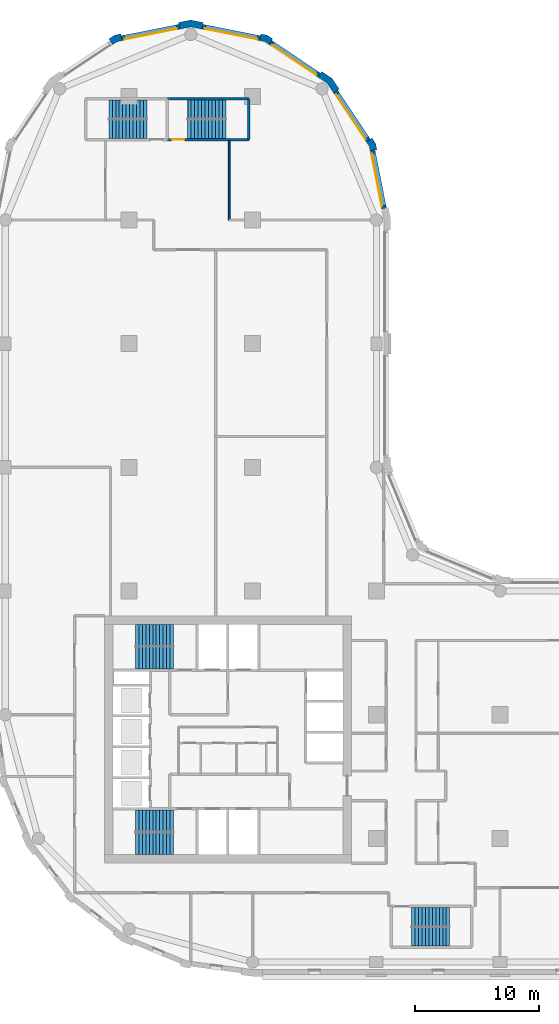
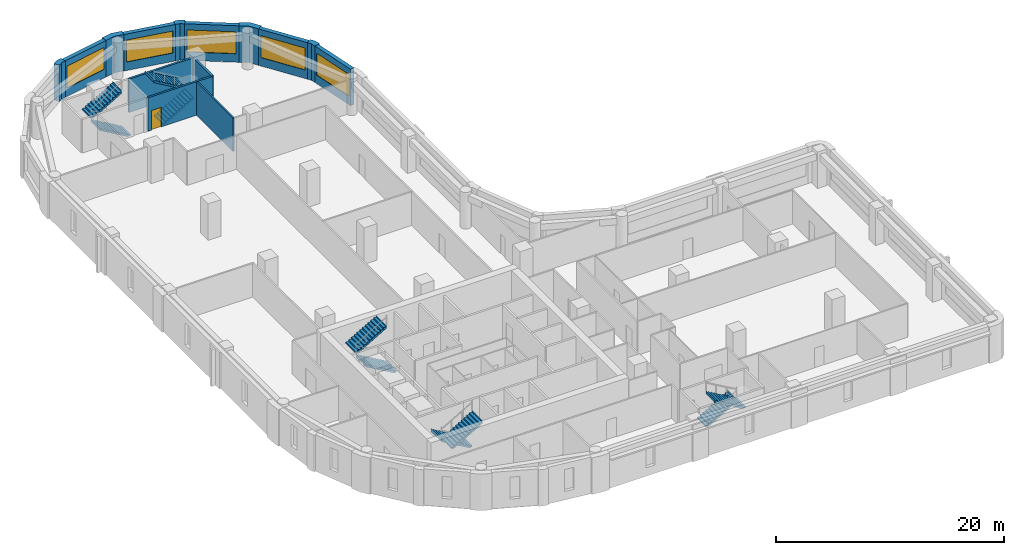
# One storey, part 7 of 9: 14 walls, 10 stair flights, 5 windows, 1 door, 6 openings, 5 elements without a shape of their own.
"""IFC4 building model written with IfcOpenShell, lengths in metres."""

from ifc_helpers import new_model, si_unit, direction, frame, frame_2d, origin, place, context, subcontext, project, spatial, polyline, rectangle, outline, extrude, material, layer, layer_set, type_object, element, fill, aggregate, save


model = new_model("IFC4")

# Units and contexts
model_context = context("Model", 3, precision=1e-05, world=origin(), true_north=direction((0.0, 1.0)))
body_context = subcontext(model_context, "Body", "Model", "MODEL_VIEW")
ifc_project = project(units=[si_unit("LENGTHUNIT", "METRE"), si_unit("AREAUNIT", "SQUARE_METRE"), si_unit("VOLUMEUNIT", "CUBIC_METRE"), si_unit("PLANEANGLEUNIT", "RADIAN"), si_unit("MASSUNIT", "GRAM", prefix="KILO")], contexts=[model_context])

# Site, building, storey
site_placement = place(None, origin())
site = spatial("IfcSite", under=ifc_project, at=site_placement, CompositionType="ELEMENT")
building_placement = place(site_placement, origin())
building = spatial("IfcBuilding", under=site, at=building_placement, Name="Qaws Garden Tower", CompositionType="ELEMENT")
storey_placement = place(building_placement, frame((0.0, 0.0, 174.60009765625)))
storey = spatial("IfcBuildingStorey", under=building, at=storey_placement, Name="L42", CompositionType="ELEMENT", Elevation=174.60009765625)

# Wall, opening, window
ifc_material_1 = material(Name="Clay facing brick masonry", Category="masonry")
ifc_layer_1 = layer(ifc_material_1, 0.39990234375)
ifc_layer_set_1 = layer_set([ifc_layer_1], Name="Clay facing brick masonry")
wall_type_1 = type_object("IfcWallType", Name="Brick infill wall 400", PredefinedType="SOLIDWALL", material=ifc_layer_set_1)
wall_1_placement = place(storey_placement, frame((30.628662109375, 60.940673828125, 0.0), z_axis=(0.0, 0.0, 1.0), x_axis=(-0.195098533057, 0.98078364709, 0.0)))
wall_1 = element("IfcWall", 1, at=wall_1_placement, inside=storey, type_object=wall_type_1, Name="E-L42-infill-13", PredefinedType="SOLIDWALL", context=body_context, shape_type="SweptSolid", body=[
    extrude(rectangle(XDim=4.752685546875, YDim=0.39990234375, at=frame_2d((2.37646484375, 0.0))), origin(), (0.0, 0.0, 1.0), 3.89990234375),
])
opening_1_placement = place(wall_1_placement, frame((0.226318359375, 0.0, 0.89990234375)))
opening_1 = element("IfcOpeningElement", 2, at=opening_1_placement, cuts=wall_1, Name="Opening W06", PredefinedType="OPENING", context=body_context, shape_type="SweptSolid", body=[
    extrude(rectangle(XDim=4.300048828125, YDim=2.35009765625, at=frame_2d((2.14990234375, 1.175048828125))), frame((0.0, 0.2099609375, 0.0), z_axis=(0.0, -1.0, 0.0), x_axis=(1.0, 0.0, 0.0)), (0.0, 0.0, 1.0), 0.419921875),
])
ifc_material_2 = material(Name="Aluminium framed window, clear glazing", Category="aluminium")
window_type = type_object("IfcWindowType", Name="Ribbon window 4300 x 2350", PartitioningType="DOUBLE_PANEL_VERTICAL", PredefinedType="WINDOW", material=ifc_material_2)
window_1_placement = place(opening_1_placement, origin())
window_1 = element("IfcWindow", 3, at=window_1_placement, inside=storey, type_object=window_type, Name="E-L42-window-13-0", OverallHeight=2.35009765625, OverallWidth=4.300048828125, PartitioningType="SINGLE_PANEL", PredefinedType="WINDOW", context=body_context, shape_type="SweptSolid", body=[
    extrude(rectangle(XDim=4.300048828125, YDim=2.35009765625, at=frame_2d((2.14990234375, 1.175048828125))), frame((0.0, 0.159912109375, 0.0), z_axis=(0.0, -1.0, 0.0), x_axis=(1.0, 0.0, 0.0)), (0.0, 0.0, 1.0), 0.06005859375),
])
fill(opening_1, window_1)

wall_2_placement = place(storey_placement, frame((29.356689453125, 66.43408203125, 0.0), z_axis=(0.0, 0.0, 1.0), x_axis=(-0.555541552266, 0.831488775454, 0.0)))
wall_2 = element("IfcWall", 4, at=wall_2_placement, inside=storey, type_object=wall_type_1, Name="E-L42-infill-14", PredefinedType="SOLIDWALL", context=body_context, shape_type="SweptSolid", body=[
    extrude(rectangle(XDim=4.752685546875, YDim=0.39990234375, at=frame_2d((2.37646484375, 0.0))), origin(), (0.0, 0.0, 1.0), 3.89990234375),
])
opening_2_placement = place(wall_2_placement, frame((0.226318359375, 0.0, 0.89990234375)))
opening_2 = element("IfcOpeningElement", 5, at=opening_2_placement, cuts=wall_2, Name="Opening W06", PredefinedType="OPENING", context=body_context, shape_type="SweptSolid", body=[
    extrude(rectangle(XDim=4.300048828125, YDim=2.35009765625, at=frame_2d((2.14990234375, 1.175048828125))), frame((0.0, 0.2099609375, 0.0), z_axis=(0.0, -1.0, 0.0), x_axis=(1.0, 0.0, 0.0)), (0.0, 0.0, 1.0), 0.419921875),
])
window_2_placement = place(opening_2_placement, origin())
window_2 = element("IfcWindow", 6, at=window_2_placement, inside=storey, type_object=window_type, Name="E-L42-window-14-0", OverallHeight=2.35009765625, OverallWidth=4.300048828125, PartitioningType="SINGLE_PANEL", PredefinedType="WINDOW", context=body_context, shape_type="SweptSolid", body=[
    extrude(rectangle(XDim=4.300048828125, YDim=2.35009765625, at=frame_2d((2.14990234375, 1.175048828125))), frame((0.0, 0.159912109375, 0.0), z_axis=(0.0, -1.0, 0.0), x_axis=(1.0, 0.0, 0.0)), (0.0, 0.0, 1.0), 0.06005859375),
])
fill(opening_2, window_2)

wall_3_placement = place(storey_placement, frame((25.385986328125, 71.71630859375, 0.0), z_axis=(0.0, 0.0, 1.0), x_axis=(-0.831488775454, 0.555541552266, 0.0)))
wall_3 = element("IfcWall", 7, at=wall_3_placement, inside=storey, type_object=wall_type_1, Name="E-L42-infill-15", PredefinedType="SOLIDWALL", context=body_context, shape_type="SweptSolid", body=[
    extrude(rectangle(XDim=4.752685546875, YDim=0.39990234375, at=frame_2d((2.37646484375, 0.0))), origin(), (0.0, 0.0, 1.0), 3.89990234375),
])
opening_3_placement = place(wall_3_placement, frame((0.226318359375, 0.0, 0.89990234375)))
opening_3 = element("IfcOpeningElement", 8, at=opening_3_placement, cuts=wall_3, Name="Opening W06", PredefinedType="OPENING", context=body_context, shape_type="SweptSolid", body=[
    extrude(rectangle(XDim=4.300048828125, YDim=2.35009765625, at=frame_2d((2.14990234375, 1.175048828125))), frame((0.0, 0.2099609375, 0.0), z_axis=(0.0, -1.0, 0.0), x_axis=(1.0, 0.0, 0.0)), (0.0, 0.0, 1.0), 0.419921875),
])
window_3_placement = place(opening_3_placement, origin())
window_3 = element("IfcWindow", 9, at=window_3_placement, inside=storey, type_object=window_type, Name="E-L42-window-15-0", OverallHeight=2.35009765625, OverallWidth=4.300048828125, PartitioningType="SINGLE_PANEL", PredefinedType="WINDOW", context=body_context, shape_type="SweptSolid", body=[
    extrude(rectangle(XDim=4.300048828125, YDim=2.35009765625, at=frame_2d((2.14990234375, 1.175048828125))), frame((0.0, 0.159912109375, 0.0), z_axis=(0.0, -1.0, 0.0), x_axis=(1.0, 0.0, 0.0)), (0.0, 0.0, 1.0), 0.06005859375),
])
fill(opening_3, window_3)

wall_4_placement = place(storey_placement, frame((20.60205078125, 74.701416015625, 0.0), z_axis=(0.0, 0.0, 1.0), x_axis=(-0.98078364709, 0.195098533057, 0.0)))
wall_4 = element("IfcWall", 10, at=wall_4_placement, inside=storey, type_object=wall_type_1, Name="E-L42-infill-16", PredefinedType="SOLIDWALL", context=body_context, shape_type="SweptSolid", body=[
    extrude(rectangle(XDim=4.752685546875, YDim=0.39990234375, at=frame_2d((2.37646484375, 0.0))), origin(), (0.0, 0.0, 1.0), 3.89990234375),
])
opening_4_placement = place(wall_4_placement, frame((0.226318359375, 0.0, 0.89990234375)))
opening_4 = element("IfcOpeningElement", 11, at=opening_4_placement, cuts=wall_4, Name="Opening W06", PredefinedType="OPENING", context=body_context, shape_type="SweptSolid", body=[
    extrude(rectangle(XDim=4.300048828125, YDim=2.35009765625, at=frame_2d((2.14990234375, 1.175048828125))), frame((0.0, 0.2099609375, 0.0), z_axis=(0.0, -1.0, 0.0), x_axis=(1.0, 0.0, 0.0)), (0.0, 0.0, 1.0), 0.419921875),
])
window_4_placement = place(opening_4_placement, origin())
window_4 = element("IfcWindow", 12, at=window_4_placement, inside=storey, type_object=window_type, Name="E-L42-window-16-0", OverallHeight=2.35009765625, OverallWidth=4.300048828125, PartitioningType="SINGLE_PANEL", PredefinedType="WINDOW", context=body_context, shape_type="SweptSolid", body=[
    extrude(rectangle(XDim=4.300048828125, YDim=2.35009765625, at=frame_2d((2.14990234375, 1.175048828125))), frame((0.0, 0.159912109375, 0.0), z_axis=(0.0, -1.0, 0.0), x_axis=(1.0, 0.0, 0.0)), (0.0, 0.0, 1.0), 0.06005859375),
])
fill(opening_4, window_4)

wall_5_placement = place(storey_placement, frame((14.059326171875, 75.628662109375, 0.0), z_axis=(0.0, 0.0, 1.0), x_axis=(-0.98078364709, -0.195098533057, 0.0)))
wall_5 = element("IfcWall", 13, at=wall_5_placement, inside=storey, type_object=wall_type_1, Name="E-L42-infill-17", PredefinedType="SOLIDWALL", context=body_context, shape_type="SweptSolid", body=[
    extrude(rectangle(XDim=4.752685546875, YDim=0.39990234375, at=frame_2d((2.37646484375, 0.0))), origin(), (0.0, 0.0, 1.0), 3.89990234375),
])
opening_5_placement = place(wall_5_placement, frame((0.226318359375, 0.0, 0.89990234375)))
opening_5 = element("IfcOpeningElement", 14, at=opening_5_placement, cuts=wall_5, Name="Opening W06", PredefinedType="OPENING", context=body_context, shape_type="SweptSolid", body=[
    extrude(rectangle(XDim=4.300048828125, YDim=2.35009765625, at=frame_2d((2.14990234375, 1.175048828125))), frame((0.0, 0.2099609375, 0.0), z_axis=(0.0, -1.0, 0.0), x_axis=(1.0, 0.0, 0.0)), (0.0, 0.0, 1.0), 0.419921875),
])
window_5_placement = place(opening_5_placement, origin())
window_5 = element("IfcWindow", 15, at=window_5_placement, inside=storey, type_object=window_type, Name="E-L42-window-17-0", OverallHeight=2.35009765625, OverallWidth=4.300048828125, PartitioningType="SINGLE_PANEL", PredefinedType="WINDOW", context=body_context, shape_type="SweptSolid", body=[
    extrude(rectangle(XDim=4.300048828125, YDim=2.35009765625, at=frame_2d((2.14990234375, 1.175048828125))), frame((0.0, 0.159912109375, 0.0), z_axis=(0.0, -1.0, 0.0), x_axis=(1.0, 0.0, 0.0)), (0.0, 0.0, 1.0), 0.06005859375),
])
fill(opening_5, window_5)

# Walls
ifc_material_3 = material(Name="Clay facing brick masonry", Category="masonry")
ifc_layer_2 = layer(ifc_material_3, 0.550048828125)
ifc_layer_set_2 = layer_set([ifc_layer_2], Name="Clay facing brick masonry")
wall_type_2 = type_object("IfcWallType", Name="Brick kink pier 550 x 600", PredefinedType="SOLIDWALL", material=ifc_layer_set_2)
placement = place(storey_placement, origin())
element("IfcWall", 16, at=placement, inside=storey, type_object=wall_type_2, Name="E-L42-pier-14", PredefinedType="SOLIDWALL", context=body_context, shape_type="SweptSolid", body=[
    extrude(outline(polyline([(29.8974609375, 65.64111328125), (30.044677734375, 65.67041015625), (29.94140625, 66.18896484375), (29.647705078125, 66.628662109375), (29.52294921875, 66.545166015625), (29.1904296875, 66.322998046875), (29.42333984375, 65.974365234375), (29.505126953125, 65.56298828125), (29.8974609375, 65.64111328125)])), origin(), (0.0, 0.0, 1.0), 3.89990234375),
])
element("IfcWall", 17, at=placement, inside=storey, type_object=wall_type_2, Name="E-L42-pier-16", PredefinedType="SOLIDWALL", context=body_context, shape_type="SweptSolid", body=[
    extrude(outline(polyline([(21.545166015625, 74.52294921875), (21.628662109375, 74.647705078125), (21.18896484375, 74.94140625), (20.67041015625, 75.044677734375), (20.64111328125, 74.8974609375), (20.56298828125, 74.505126953125), (20.974365234375, 74.42333984375), (21.322998046875, 74.1904296875), (21.545166015625, 74.52294921875)])), origin(), (0.0, 0.0, 1.0), 3.89990234375),
])
element("IfcWall", 18, at=placement, inside=storey, type_object=wall_type_2, Name="E-L42-pier-18", PredefinedType="SOLIDWALL", context=body_context, shape_type="SweptSolid", body=[
    extrude(outline(polyline([(9.35888671875, 74.8974609375), (9.32958984375, 75.044677734375), (8.81103515625, 74.94140625), (8.371337890625, 74.647705078125), (8.454833984375, 74.52294921875), (8.677001953125, 74.1904296875), (9.025634765625, 74.42333984375), (9.43701171875, 74.505126953125), (9.35888671875, 74.8974609375)])), origin(), (0.0, 0.0, 1.0), 3.89990234375),
])
ifc_material_4 = material(Name="Clay facing brick masonry", Category="masonry")
ifc_layer_3 = layer(ifc_material_4, 0.550048828125)
ifc_layer_set_3 = layer_set([ifc_layer_3], Name="Clay facing brick masonry")
wall_type_3 = type_object("IfcWallType", Name="Brick pier 550 x 1600", PredefinedType="SOLIDWALL", material=ifc_layer_set_3)
element("IfcWall", 19, at=placement, inside=storey, type_object=wall_type_3, Name="E-L42-pier-15", PredefinedType="SOLIDWALL", context=body_context, shape_type="SweptSolid", body=[
    extrude(outline(polyline([(26.882568359375, 70.4970703125), (27.00732421875, 70.580322265625), (26.435791015625, 71.435791015625), (25.580322265625, 72.00732421875), (25.4970703125, 71.882568359375), (25.274658203125, 71.550048828125), (26.0390625, 71.0390625), (26.550048828125, 70.274658203125), (26.882568359375, 70.4970703125)])), origin(), (0.0, 0.0, 1.0), 3.89990234375),
])
element("IfcWall", 20, at=placement, inside=storey, type_object=wall_type_3, Name="E-L42-pier-17", PredefinedType="SOLIDWALL", context=body_context, shape_type="SweptSolid", body=[
    extrude(outline(polyline([(15.979736328125, 75.82470703125), (16.009033203125, 75.971923828125), (15.0, 76.172607421875), (13.990966796875, 75.971923828125), (14.020263671875, 75.82470703125), (14.098388671875, 75.432373046875), (15.0, 75.61181640625), (15.901611328125, 75.432373046875), (15.979736328125, 75.82470703125)])), origin(), (0.0, 0.0, 1.0), 3.89990234375),
])

# Wall, opening, door
ifc_material_5 = material(Name="Concrete C70", Category="concrete")
ifc_layer_4 = layer(ifc_material_5, 0.199951171875)
ifc_layer_set_4 = layer_set([ifc_layer_4], Name="Concrete C70")
wall_type_4 = type_object("IfcWallType", Name="Core shaft wall 200 C70", PredefinedType="SHEAR", material=ifc_layer_set_4)
wall_11_placement = place(storey_placement, frame((13.10009765625, 66.5, 0.0), z_axis=(0.0, 0.0, 1.0), x_axis=(1.0, 0.0, 0.0)))
wall_11 = element("IfcWall", 21, at=wall_11_placement, inside=storey, type_object=wall_type_4, Name="Shaft wall", PredefinedType="SHEAR", context=body_context, shape_type="SweptSolid", body=[
    extrude(rectangle(XDim=6.599853515625, YDim=0.199951171875, at=frame_2d((3.2998046875, 0.0))), origin(), (0.0, 0.0, 1.0), 3.579833984375),
])
opening_6_placement = place(wall_11_placement, frame((0.375, 0.0, 0.0)))
opening_6 = element("IfcOpeningElement", 22, at=opening_6_placement, cuts=wall_11, Name="Opening SD14", PredefinedType="OPENING", context=body_context, shape_type="SweptSolid", body=[
    extrude(rectangle(XDim=1.0, YDim=2.10009765625, at=frame_2d((0.5, 1.050048828125))), frame((0.0, 0.10986328125, 0.0), z_axis=(0.0, -1.0, 0.0), x_axis=(1.0, 0.0, 0.0)), (0.0, 0.0, 1.0), 0.219970703125),
])
ifc_material_6 = material(Name="Steel S235", Category="steel")
door_type = type_object("IfcDoorType", Name="Stair door 1000x2100", OperationType="SINGLE_SWING_RIGHT", PredefinedType="DOOR", material=ifc_material_6)
door_placement = place(opening_6_placement, origin())
door = element("IfcDoor", 23, at=door_placement, inside=storey, type_object=door_type, Name="Stair 7 door", OperationType="SINGLE_SWING_LEFT", OverallHeight=2.10009765625, OverallWidth=1.0, PredefinedType="DOOR", context=body_context, shape_type="SweptSolid", body=[
    extrude(rectangle(XDim=1.0, YDim=2.10009765625, at=frame_2d((0.5, 1.050048828125))), frame((0.0, 0.02490234375, 0.0), z_axis=(0.0, -1.0, 0.0), x_axis=(1.0, 0.0, 0.0)), (0.0, 0.0, 1.0), 0.050048828125),
])
fill(opening_6, door)

# Walls
wall_12_placement = place(storey_placement, frame((13.10009765625, 69.800048828125, 0.0), z_axis=(0.0, 0.0, 1.0), x_axis=(1.0, 0.0, 0.0)))
element("IfcWall", 24, at=wall_12_placement, inside=storey, type_object=wall_type_4, Name="Shaft wall", PredefinedType="SHEAR", context=body_context, shape_type="SweptSolid", body=[
    extrude(rectangle(XDim=6.599853515625, YDim=0.199951171875, at=frame_2d((3.2998046875, 0.0))), origin(), (0.0, 0.0, 1.0), 3.579833984375),
])
wall_13_placement = place(storey_placement, frame((19.699951171875, 66.5, 0.0), z_axis=(0.0, 0.0, 1.0), x_axis=(0.0, 1.0, 0.0)))
element("IfcWall", 25, at=wall_13_placement, inside=storey, type_object=wall_type_4, Name="Shaft wall", PredefinedType="SHEAR", context=body_context, shape_type="SweptSolid", body=[
    extrude(rectangle(XDim=3.300048828125, YDim=0.199951171875, at=frame_2d((1.64990234375, 0.0))), origin(), (0.0, 0.0, 1.0), 3.579833984375),
])
ifc_material_7 = material(Name="Gypsum board partition")
ifc_layer_5 = layer(ifc_material_7, 0.14990234375)
ifc_layer_set_5 = layer_set([ifc_layer_5], Name="Gypsum board partition")
wall_type_5 = type_object("IfcWallType", Name="PARTITION 150 EI 60", PredefinedType="PARTITIONING", material=ifc_layer_set_5)
wall_14_placement = place(storey_placement, frame((18.10009765625, 60.0, 0.0), z_axis=(0.0, 0.0, 1.0), x_axis=(0.0, 1.0, 0.0)))
element("IfcWall", 26, at=wall_14_placement, inside=storey, type_object=wall_type_5, Name="O-L42-wall-012", PredefinedType="PARTITIONING", context=body_context, shape_type="SweptSolid", body=[
    extrude(rectangle(XDim=6.39990234375, YDim=0.14990234375, at=frame_2d((3.199951171875, 0.0))), origin(), (0.0, 0.0, 1.0), 3.579833984375),
])

# Stair, stair flights
ifc_material_8 = material(Name="Concrete C40", Category="concrete")
stair_type_1 = type_object("IfcStairType", Name="Exit stair 1350", PredefinedType="HALF_TURN_STAIR", material=ifc_material_8)
stair_1 = element("IfcStair", 27, at=placement, inside=storey, type_object=stair_type_1, Name="Stair 5", PredefinedType="HALF_TURN_STAIR")
ifc_material_9 = material(Name="Concrete C40", Category="concrete")
stair_flight_type_1 = type_object("IfcStairFlightType", Name="Stair flight 1350", PredefinedType="STRAIGHT", material=ifc_material_9)
stair_flight_1_placement = place(storey_placement, frame((32.85009765625, 3.625, 0.0), z_axis=(0.0, 0.0, 1.0), x_axis=(1.0, 0.0, 0.0)))
stair_flight_1 = element("IfcStairFlight", 28, at=stair_flight_1_placement, type_object=stair_flight_type_1, Name="ST5 flight 1", NumberOfRisers=12, NumberOfTreads=11, PredefinedType="STRAIGHT", RiserHeight=0.1625, TreadLength=0.28, context=body_context, shape_type="SweptSolid", body=[
    extrude(outline(polyline([(-0.0029296875, 0.0), (-0.0029296875, 0.16259765625), (0.0, 0.16259765625), (0.280029296875, 0.16259765625), (0.280029296875, 0.324951171875), (0.56005859375, 0.324951171875), (0.56005859375, 0.487548828125), (0.840087890625, 0.487548828125), (0.840087890625, 0.64990234375), (1.1201171875, 0.64990234375), (1.1201171875, 0.8125), (1.39990234375, 0.8125), (1.39990234375, 0.97509765625), (1.679931640625, 0.97509765625), (1.679931640625, 1.137451171875), (1.9599609375, 1.137451171875), (1.9599609375, 1.300048828125), (2.239990234375, 1.300048828125), (2.239990234375, 1.46240234375), (2.52001953125, 1.46240234375), (2.52001953125, 1.625), (2.800048828125, 1.625), (2.800048828125, 1.78759765625), (3.080078125, 1.78759765625), (3.080078125, 1.949951171875), (3.0830078125, 1.949951171875), (3.0830078125, 1.6142578125), (3.080078125, 1.6142578125), (0.298583984375, 0.0), (-0.0029296875, 0.0)])), frame((0.0, 0.77490234375, 0.0), z_axis=(0.0, -1.0, 0.0), x_axis=(1.0, 0.0, 0.0)), (0.0, 0.0, 1.0), 1.550048828125),
])
stair_flight_2_placement = place(storey_placement, frame((35.929931640625, 2.074951171875, 1.949951171875), z_axis=(0.0, 0.0, 1.0), x_axis=(-1.0, 0.0, 0.0)))
stair_flight_2 = element("IfcStairFlight", 29, at=stair_flight_2_placement, type_object=stair_flight_type_1, Name="ST5 flight 2", NumberOfRisers=12, NumberOfTreads=11, PredefinedType="STRAIGHT", RiserHeight=0.1625, TreadLength=0.28, context=body_context, shape_type="SweptSolid", body=[
    extrude(outline(polyline([(-0.0029296875, 0.0), (-0.0029296875, 0.16259765625), (0.0, 0.16259765625), (0.280029296875, 0.16259765625), (0.280029296875, 0.324951171875), (0.56005859375, 0.324951171875), (0.56005859375, 0.487548828125), (0.840087890625, 0.487548828125), (0.840087890625, 0.64990234375), (1.1201171875, 0.64990234375), (1.1201171875, 0.8125), (1.39990234375, 0.8125), (1.39990234375, 0.97509765625), (1.679931640625, 0.97509765625), (1.679931640625, 1.137451171875), (1.9599609375, 1.137451171875), (1.9599609375, 1.300048828125), (2.239990234375, 1.300048828125), (2.239990234375, 1.46240234375), (2.52001953125, 1.46240234375), (2.52001953125, 1.625), (2.800048828125, 1.625), (2.800048828125, 1.78759765625), (3.080078125, 1.78759765625), (3.080078125, 1.949951171875), (3.0830078125, 1.949951171875), (3.0830078125, 1.6142578125), (3.080078125, 1.6142578125), (0.298583984375, 0.0), (-0.0029296875, 0.0)])), frame((0.0, 0.77490234375, 0.0), z_axis=(0.0, -1.0, 0.0), x_axis=(1.0, 0.0, 0.0)), (0.0, 0.0, 1.0), 1.550048828125),
])
aggregate(stair_1, [stair_flight_1, stair_flight_2])

stair_2 = element("IfcStair", 30, at=placement, inside=storey, type_object=stair_type_1, Name="Stair 6", PredefinedType="HALF_TURN_STAIR")
stair_flight_3_placement = place(storey_placement, frame((11.449951171875, 67.375, 0.0), z_axis=(0.0, 0.0, 1.0), x_axis=(-1.0, 0.0, 0.0)))
stair_flight_3 = element("IfcStairFlight", 31, at=stair_flight_3_placement, type_object=stair_flight_type_1, Name="ST6 flight 1", NumberOfRisers=12, NumberOfTreads=11, PredefinedType="STRAIGHT", RiserHeight=0.1625, TreadLength=0.28, context=body_context, shape_type="SweptSolid", body=[
    extrude(outline(polyline([(-0.0029296875, 0.0), (-0.0029296875, 0.16259765625), (0.0, 0.16259765625), (0.280029296875, 0.16259765625), (0.280029296875, 0.324951171875), (0.56005859375, 0.324951171875), (0.56005859375, 0.487548828125), (0.840087890625, 0.487548828125), (0.840087890625, 0.64990234375), (1.1201171875, 0.64990234375), (1.1201171875, 0.8125), (1.39990234375, 0.8125), (1.39990234375, 0.97509765625), (1.679931640625, 0.97509765625), (1.679931640625, 1.137451171875), (1.9599609375, 1.137451171875), (1.9599609375, 1.300048828125), (2.239990234375, 1.300048828125), (2.239990234375, 1.46240234375), (2.52001953125, 1.46240234375), (2.52001953125, 1.625), (2.800048828125, 1.625), (2.800048828125, 1.78759765625), (3.080078125, 1.78759765625), (3.080078125, 1.949951171875), (3.0830078125, 1.949951171875), (3.0830078125, 1.6142578125), (3.080078125, 1.6142578125), (0.298583984375, 0.0), (-0.0029296875, 0.0)])), frame((0.0, 0.77490234375, 0.0), z_axis=(0.0, -1.0, 0.0), x_axis=(1.0, 0.0, 0.0)), (0.0, 0.0, 1.0), 1.550048828125),
])
stair_flight_4_placement = place(storey_placement, frame((8.3701171875, 68.925048828125, 1.949951171875), z_axis=(0.0, 0.0, 1.0), x_axis=(1.0, 0.0, 0.0)))
stair_flight_4 = element("IfcStairFlight", 32, at=stair_flight_4_placement, type_object=stair_flight_type_1, Name="ST6 flight 2", NumberOfRisers=12, NumberOfTreads=11, PredefinedType="STRAIGHT", RiserHeight=0.1625, TreadLength=0.28, context=body_context, shape_type="SweptSolid", body=[
    extrude(outline(polyline([(-0.0029296875, 0.0), (-0.0029296875, 0.16259765625), (0.0, 0.16259765625), (0.280029296875, 0.16259765625), (0.280029296875, 0.324951171875), (0.56005859375, 0.324951171875), (0.56005859375, 0.487548828125), (0.840087890625, 0.487548828125), (0.840087890625, 0.64990234375), (1.1201171875, 0.64990234375), (1.1201171875, 0.8125), (1.39990234375, 0.8125), (1.39990234375, 0.97509765625), (1.679931640625, 0.97509765625), (1.679931640625, 1.137451171875), (1.9599609375, 1.137451171875), (1.9599609375, 1.300048828125), (2.239990234375, 1.300048828125), (2.239990234375, 1.46240234375), (2.52001953125, 1.46240234375), (2.52001953125, 1.625), (2.800048828125, 1.625), (2.800048828125, 1.78759765625), (3.080078125, 1.78759765625), (3.080078125, 1.949951171875), (3.0830078125, 1.949951171875), (3.0830078125, 1.6142578125), (3.080078125, 1.6142578125), (0.298583984375, 0.0), (-0.0029296875, 0.0)])), frame((0.0, 0.77490234375, 0.0), z_axis=(0.0, -1.0, 0.0), x_axis=(1.0, 0.0, 0.0)), (0.0, 0.0, 1.0), 1.550048828125),
])
aggregate(stair_2, [stair_flight_3, stair_flight_4])

stair_3 = element("IfcStair", 33, at=placement, inside=storey, type_object=stair_type_1, Name="Stair 7", PredefinedType="HALF_TURN_STAIR")
stair_flight_5_placement = place(storey_placement, frame((14.75, 67.375, 0.0), z_axis=(0.0, 0.0, 1.0), x_axis=(1.0, 0.0, 0.0)))
stair_flight_5 = element("IfcStairFlight", 34, at=stair_flight_5_placement, type_object=stair_flight_type_1, Name="ST7 flight 1", NumberOfRisers=12, NumberOfTreads=11, PredefinedType="STRAIGHT", RiserHeight=0.1625, TreadLength=0.28, context=body_context, shape_type="SweptSolid", body=[
    extrude(outline(polyline([(-0.0029296875, 0.0), (-0.0029296875, 0.16259765625), (0.0, 0.16259765625), (0.280029296875, 0.16259765625), (0.280029296875, 0.324951171875), (0.56005859375, 0.324951171875), (0.56005859375, 0.487548828125), (0.840087890625, 0.487548828125), (0.840087890625, 0.64990234375), (1.1201171875, 0.64990234375), (1.1201171875, 0.8125), (1.39990234375, 0.8125), (1.39990234375, 0.97509765625), (1.679931640625, 0.97509765625), (1.679931640625, 1.137451171875), (1.9599609375, 1.137451171875), (1.9599609375, 1.300048828125), (2.239990234375, 1.300048828125), (2.239990234375, 1.46240234375), (2.52001953125, 1.46240234375), (2.52001953125, 1.625), (2.800048828125, 1.625), (2.800048828125, 1.78759765625), (3.080078125, 1.78759765625), (3.080078125, 1.949951171875), (3.0830078125, 1.949951171875), (3.0830078125, 1.6142578125), (3.080078125, 1.6142578125), (0.298583984375, 0.0), (-0.0029296875, 0.0)])), frame((0.0, 0.77490234375, 0.0), z_axis=(0.0, -1.0, 0.0), x_axis=(1.0, 0.0, 0.0)), (0.0, 0.0, 1.0), 1.550048828125),
])
stair_flight_6_placement = place(storey_placement, frame((17.830078125, 68.925048828125, 1.949951171875), z_axis=(0.0, 0.0, 1.0), x_axis=(-1.0, 0.0, 0.0)))
stair_flight_6 = element("IfcStairFlight", 35, at=stair_flight_6_placement, type_object=stair_flight_type_1, Name="ST7 flight 2", NumberOfRisers=12, NumberOfTreads=11, PredefinedType="STRAIGHT", RiserHeight=0.1625, TreadLength=0.28, context=body_context, shape_type="SweptSolid", body=[
    extrude(outline(polyline([(-0.0029296875, 0.0), (-0.0029296875, 0.16259765625), (0.0, 0.16259765625), (0.280029296875, 0.16259765625), (0.280029296875, 0.324951171875), (0.56005859375, 0.324951171875), (0.56005859375, 0.487548828125), (0.840087890625, 0.487548828125), (0.840087890625, 0.64990234375), (1.1201171875, 0.64990234375), (1.1201171875, 0.8125), (1.39990234375, 0.8125), (1.39990234375, 0.97509765625), (1.679931640625, 0.97509765625), (1.679931640625, 1.137451171875), (1.9599609375, 1.137451171875), (1.9599609375, 1.300048828125), (2.239990234375, 1.300048828125), (2.239990234375, 1.46240234375), (2.52001953125, 1.46240234375), (2.52001953125, 1.625), (2.800048828125, 1.625), (2.800048828125, 1.78759765625), (3.080078125, 1.78759765625), (3.080078125, 1.949951171875), (3.0830078125, 1.949951171875), (3.0830078125, 1.6142578125), (3.080078125, 1.6142578125), (0.298583984375, 0.0), (-0.0029296875, 0.0)])), frame((0.0, 0.77490234375, 0.0), z_axis=(0.0, -1.0, 0.0), x_axis=(1.0, 0.0, 0.0)), (0.0, 0.0, 1.0), 1.550048828125),
])
aggregate(stair_3, [stair_flight_5, stair_flight_6])

ifc_material_10 = material(Name="Concrete C40", Category="concrete")
stair_type_2 = type_object("IfcStairType", Name="Exit stair 1500", PredefinedType="HALF_TURN_STAIR", material=ifc_material_10)
stair_4 = element("IfcStair", 36, at=placement, inside=storey, type_object=stair_type_2, Name="Stair 1", PredefinedType="HALF_TURN_STAIR")
ifc_material_11 = material(Name="Concrete C40", Category="concrete")
stair_flight_type_2 = type_object("IfcStairFlightType", Name="Stair flight 1500", PredefinedType="STRAIGHT", material=ifc_material_11)
stair_flight_7_placement = place(storey_placement, frame((13.60009765625, 11.39990234375, 0.0), z_axis=(0.0, 0.0, 1.0), x_axis=(-1.0, 0.0, 0.0)))
stair_flight_7 = element("IfcStairFlight", 37, at=stair_flight_7_placement, type_object=stair_flight_type_2, Name="ST1 flight 1", NumberOfRisers=12, NumberOfTreads=11, PredefinedType="STRAIGHT", RiserHeight=0.1625, TreadLength=0.28, context=body_context, shape_type="SweptSolid", body=[
    extrude(outline(polyline([(-0.0029296875, 0.0), (-0.0029296875, 0.16259765625), (0.0, 0.16259765625), (0.280029296875, 0.16259765625), (0.280029296875, 0.324951171875), (0.56005859375, 0.324951171875), (0.56005859375, 0.487548828125), (0.840087890625, 0.487548828125), (0.840087890625, 0.64990234375), (1.1201171875, 0.64990234375), (1.1201171875, 0.8125), (1.39990234375, 0.8125), (1.39990234375, 0.97509765625), (1.679931640625, 0.97509765625), (1.679931640625, 1.137451171875), (1.9599609375, 1.137451171875), (1.9599609375, 1.300048828125), (2.239990234375, 1.300048828125), (2.239990234375, 1.46240234375), (2.52001953125, 1.46240234375), (2.52001953125, 1.625), (2.800048828125, 1.625), (2.800048828125, 1.78759765625), (3.080078125, 1.78759765625), (3.080078125, 1.949951171875), (3.0830078125, 1.949951171875), (3.0830078125, 1.6142578125), (3.080078125, 1.6142578125), (0.298583984375, 0.0), (-0.0029296875, 0.0)])), frame((0.0, 0.89990234375, 0.0), z_axis=(0.0, -1.0, 0.0), x_axis=(1.0, 0.0, 0.0)), (0.0, 0.0, 1.0), 1.800048828125),
])
stair_flight_8_placement = place(storey_placement, frame((10.52001953125, 9.60009765625, 1.949951171875), z_axis=(0.0, 0.0, 1.0), x_axis=(1.0, 0.0, 0.0)))
stair_flight_8 = element("IfcStairFlight", 38, at=stair_flight_8_placement, type_object=stair_flight_type_2, Name="ST1 flight 2", NumberOfRisers=12, NumberOfTreads=11, PredefinedType="STRAIGHT", RiserHeight=0.1625, TreadLength=0.28, context=body_context, shape_type="SweptSolid", body=[
    extrude(outline(polyline([(-0.0029296875, 0.0), (-0.0029296875, 0.16259765625), (0.0, 0.16259765625), (0.280029296875, 0.16259765625), (0.280029296875, 0.324951171875), (0.56005859375, 0.324951171875), (0.56005859375, 0.487548828125), (0.840087890625, 0.487548828125), (0.840087890625, 0.64990234375), (1.1201171875, 0.64990234375), (1.1201171875, 0.8125), (1.39990234375, 0.8125), (1.39990234375, 0.97509765625), (1.679931640625, 0.97509765625), (1.679931640625, 1.137451171875), (1.9599609375, 1.137451171875), (1.9599609375, 1.300048828125), (2.239990234375, 1.300048828125), (2.239990234375, 1.46240234375), (2.52001953125, 1.46240234375), (2.52001953125, 1.625), (2.800048828125, 1.625), (2.800048828125, 1.78759765625), (3.080078125, 1.78759765625), (3.080078125, 1.949951171875), (3.0830078125, 1.949951171875), (3.0830078125, 1.6142578125), (3.080078125, 1.6142578125), (0.298583984375, 0.0), (-0.0029296875, 0.0)])), frame((0.0, 0.89990234375, 0.0), z_axis=(0.0, -1.0, 0.0), x_axis=(1.0, 0.0, 0.0)), (0.0, 0.0, 1.0), 1.800048828125),
])
aggregate(stair_4, [stair_flight_7, stair_flight_8])

stair_5 = element("IfcStair", 39, at=placement, inside=storey, type_object=stair_type_2, Name="Stair 4", PredefinedType="HALF_TURN_STAIR")
stair_flight_9_placement = place(storey_placement, frame((13.60009765625, 24.60009765625, 0.0), z_axis=(0.0, 0.0, 1.0), x_axis=(-1.0, 0.0, 0.0)))
stair_flight_9 = element("IfcStairFlight", 40, at=stair_flight_9_placement, type_object=stair_flight_type_2, Name="ST4 flight 1", NumberOfRisers=12, NumberOfTreads=11, PredefinedType="STRAIGHT", RiserHeight=0.1625, TreadLength=0.28, context=body_context, shape_type="SweptSolid", body=[
    extrude(outline(polyline([(-0.0029296875, 0.0), (-0.0029296875, 0.16259765625), (0.0, 0.16259765625), (0.280029296875, 0.16259765625), (0.280029296875, 0.324951171875), (0.56005859375, 0.324951171875), (0.56005859375, 0.487548828125), (0.840087890625, 0.487548828125), (0.840087890625, 0.64990234375), (1.1201171875, 0.64990234375), (1.1201171875, 0.8125), (1.39990234375, 0.8125), (1.39990234375, 0.97509765625), (1.679931640625, 0.97509765625), (1.679931640625, 1.137451171875), (1.9599609375, 1.137451171875), (1.9599609375, 1.300048828125), (2.239990234375, 1.300048828125), (2.239990234375, 1.46240234375), (2.52001953125, 1.46240234375), (2.52001953125, 1.625), (2.800048828125, 1.625), (2.800048828125, 1.78759765625), (3.080078125, 1.78759765625), (3.080078125, 1.949951171875), (3.0830078125, 1.949951171875), (3.0830078125, 1.6142578125), (3.080078125, 1.6142578125), (0.298583984375, 0.0), (-0.0029296875, 0.0)])), frame((0.0, 0.89501953125, 0.0), z_axis=(0.0, -1.0, 0.0), x_axis=(1.0, 0.0, 0.0)), (0.0, 0.0, 1.0), 1.7900390625),
])
stair_flight_10_placement = place(storey_placement, frame((10.52001953125, 26.39990234375, 1.949951171875), z_axis=(0.0, 0.0, 1.0), x_axis=(1.0, 0.0, 0.0)))
stair_flight_10 = element("IfcStairFlight", 41, at=stair_flight_10_placement, type_object=stair_flight_type_2, Name="ST4 flight 2", NumberOfRisers=12, NumberOfTreads=11, PredefinedType="STRAIGHT", RiserHeight=0.1625, TreadLength=0.28, context=body_context, shape_type="SweptSolid", body=[
    extrude(outline(polyline([(-0.0029296875, 0.0), (-0.0029296875, 0.16259765625), (0.0, 0.16259765625), (0.280029296875, 0.16259765625), (0.280029296875, 0.324951171875), (0.56005859375, 0.324951171875), (0.56005859375, 0.487548828125), (0.840087890625, 0.487548828125), (0.840087890625, 0.64990234375), (1.1201171875, 0.64990234375), (1.1201171875, 0.8125), (1.39990234375, 0.8125), (1.39990234375, 0.97509765625), (1.679931640625, 0.97509765625), (1.679931640625, 1.137451171875), (1.9599609375, 1.137451171875), (1.9599609375, 1.300048828125), (2.239990234375, 1.300048828125), (2.239990234375, 1.46240234375), (2.52001953125, 1.46240234375), (2.52001953125, 1.625), (2.800048828125, 1.625), (2.800048828125, 1.78759765625), (3.080078125, 1.78759765625), (3.080078125, 1.949951171875), (3.0830078125, 1.949951171875), (3.0830078125, 1.6142578125), (3.080078125, 1.6142578125), (0.298583984375, 0.0), (-0.0029296875, 0.0)])), frame((0.0, 0.89501953125, 0.0), z_axis=(0.0, -1.0, 0.0), x_axis=(1.0, 0.0, 0.0)), (0.0, 0.0, 1.0), 1.7900390625),
])
aggregate(stair_5, [stair_flight_9, stair_flight_10])

save(model, "model.ifc")
